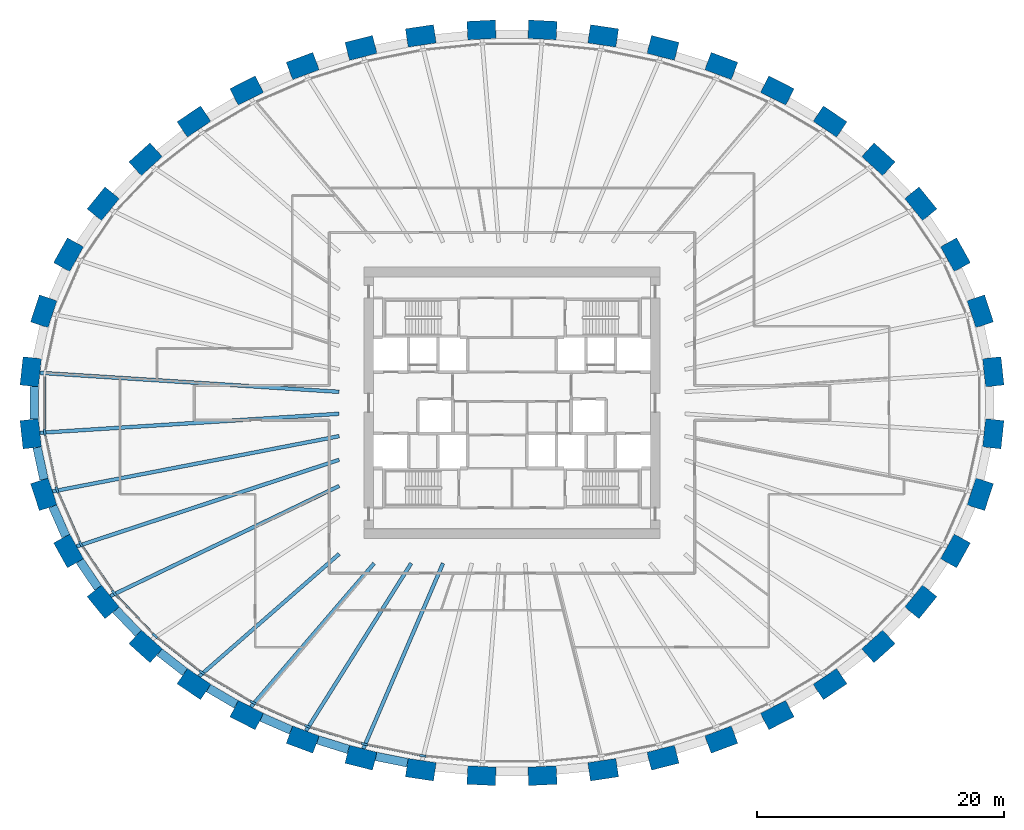
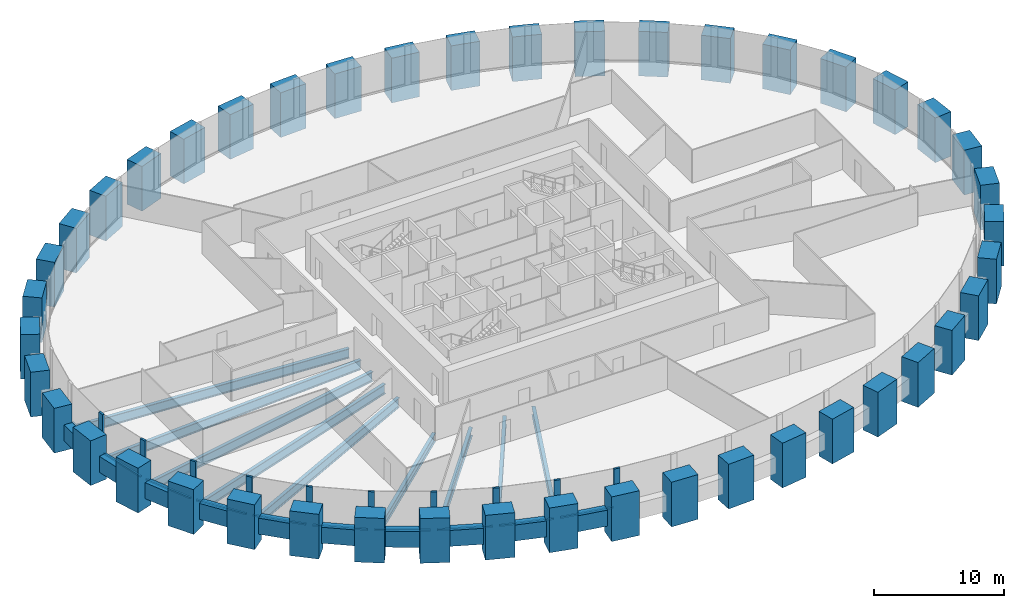
# One storey, part 1 of 11: 44 columns, 20 members, 19 beams, 1 element without a shape of its own.
"""IFC4 building model written with IfcOpenShell, lengths in metres."""

from ifc_helpers import new_model, si_unit, direction, frame, origin, origin_2d, place, context, subcontext, project, spatial, rectangle, i_section, extrude, source, transform, mapped, material, material_profile, profile_set, type_object, element, aggregate, save


model = new_model("IFC4")

# Units and contexts
model_context = context("Model", 3, precision=1e-05, world=origin(), true_north=direction((0.0, 1.0)))
body_context = subcontext(model_context, "Body", "Model", "MODEL_VIEW")
ifc_project = project(units=[si_unit("LENGTHUNIT", "METRE"), si_unit("AREAUNIT", "SQUARE_METRE"), si_unit("VOLUMEUNIT", "CUBIC_METRE"), si_unit("PLANEANGLEUNIT", "RADIAN"), si_unit("MASSUNIT", "GRAM", prefix="KILO")], contexts=[model_context])

# Site, building, storey
site_placement = place(None, origin())
site = spatial("IfcSite", under=ifc_project, at=site_placement, CompositionType="ELEMENT")
building_placement = place(site_placement, origin())
building = spatial("IfcBuilding", under=site, at=building_placement, Name="Embergate Tower", CompositionType="ELEMENT")
storey_placement = place(building_placement, frame((0.0, 0.0, 132.0)))
storey = spatial("IfcBuildingStorey", under=building, at=storey_placement, Name="L28", CompositionType="ELEMENT", Elevation=132.0)

# Columns
ifc_material_1 = material(Name="Concrete C70", Category="concrete")
ifc_material_profile_1 = material_profile(ifc_material_1, rectangle(XDim=1.5, YDim=2.300048828125, at=origin_2d()), Name="RC 1500x2300")
ifc_profile_set_1 = profile_set([ifc_material_profile_1], Name="Concrete C70")
column_type = type_object("IfcColumnType", Name="Ring column RC 1500x2300 C70", PredefinedType="COLUMN", material=ifc_profile_set_1)
shared_shape_1 = source(origin(), body_context, "Body", "SweptSolid", [
    extrude(rectangle(XDim=1.5, YDim=2.300048828125, at=origin_2d()), origin(), (0.0, 0.0, 1.0), 4.199951171875),
])
for number, where, z_axis, x_axis, name in (
    (1, (38.98193359375, 2.509033203125, -1.699951171875), (0.0, 0.0, 1.0), (0.99428589498, 0.106749983816, 0.0), "COL-L28-00"),
    (2, (37.927001953125, 7.410888671875, -1.699951171875), (0.0, 0.0, 1.0), (0.950754033697, 0.309946394413, 0.0), "COL-L28-01"),
    (3, (35.9169921875, 11.993896484375, -1.699951171875), (0.0, 0.0, 1.0), (0.873491969053, 0.486838556403, 0.0), "COL-L28-02"),
    (4, (33.110107421875, 16.1220703125, -1.699951171875), (0.0, 0.0, 1.0), (0.775914301615, 0.630838328377, 0.0), "COL-L28-03"),
    (5, (29.675048828125, 19.72412109375, -1.699951171875), (0.0, 0.0, 1.0), (0.669208424634, 0.74307475021, 0.0), "COL-L28-04"),
    (6, (25.760009765625, 22.781005859375, -1.699951171875), (0.0, 0.0, 1.0), (0.560393279442, 0.828226643109, 0.0), "COL-L28-05"),
    (7, (21.486083984375, 25.29296875, -1.699951171875), (0.0, 0.0, 1.0), (0.452994952881, 0.891513080478, 0.0), "COL-L28-06"),
    (8, (16.950927734375, 27.277099609375, -1.699951171875), (0.0, 0.0, 1.0), (0.348343015724, 0.93736713373, 0.0), "COL-L28-07"),
    (9, (12.22900390625, 28.7470703125, -1.699951171875), (0.0, 0.0, 1.0), (0.246491603437, 0.969144926951, 0.0), "COL-L28-08"),
    (10, (7.385009765625, 29.718994140625, -1.699951171875), (0.0, 0.0, 1.0), (0.146929011949, 0.989147039346, 0.0), "COL-L28-09"),
    (11, (2.468994140625, 30.201904296875, -1.699951171875), (0.0, 0.0, 1.0), (0.048814904854, 0.998807841912, 0.0), "COL-L28-10"),
    (12, (-2.468994140625, 30.201904296875, -1.699951171875), (0.0, 0.0, 1.0), (-0.048814904854, 0.998807841912, 0.0), "COL-L28-11"),
    (13, (-7.385009765625, 29.718994140625, -1.699951171875), (0.0, 0.0, 1.0), (-0.146929011949, 0.989147039346, 0.0), "COL-L28-12"),
    (14, (-12.22900390625, 28.7470703125, -1.699951171875), (0.0, 0.0, 1.0), (-0.246491603437, 0.969144926951, 0.0), "COL-L28-13"),
    (15, (-16.950927734375, 27.277099609375, -1.699951171875), (0.0, 0.0, 1.0), (-0.348343015724, 0.93736713373, 0.0), "COL-L28-14"),
    (16, (-21.486083984375, 25.29296875, -1.699951171875), (0.0, 0.0, 1.0), (-0.452994952881, 0.891513080478, 0.0), "COL-L28-15"),
    (17, (-25.760009765625, 22.781005859375, -1.699951171875), (0.0, 0.0, 1.0), (-0.560393279442, 0.828226643109, 0.0), "COL-L28-16"),
    (18, (-29.675048828125, 19.72412109375, -1.699951171875), (0.0, 0.0, 1.0), (-0.669208424634, 0.74307475021, 0.0), "COL-L28-17"),
    (19, (-33.110107421875, 16.1220703125, -1.699951171875), (0.0, 0.0, 1.0), (-0.775914301615, 0.630838328377, 0.0), "COL-L28-18"),
    (20, (-35.9169921875, 11.993896484375, -1.699951171875), (0.0, 0.0, 1.0), (-0.873491969053, 0.486838556403, 0.0), "COL-L28-19"),
    (21, (-37.927001953125, 7.410888671875, -1.699951171875), (0.0, 0.0, 1.0), (-0.950754033697, 0.309946394413, 0.0), "COL-L28-20"),
    (22, (-38.98193359375, 2.509033203125, -1.699951171875), (0.0, 0.0, 1.0), (-0.99428589498, 0.106749983816, 0.0), "COL-L28-21"),
    (23, (-38.98193359375, -2.509033203125, -1.699951171875), (0.0, 0.0, 1.0), (-0.99428589498, -0.106749983816, 0.0), "COL-L28-22"),
    (24, (-37.927001953125, -7.410888671875, -1.699951171875), (0.0, 0.0, 1.0), (-0.950754033697, -0.309946394413, 0.0), "COL-L28-23"),
    (25, (-35.9169921875, -11.993896484375, -1.699951171875), (0.0, 0.0, 1.0), (-0.873491969053, -0.486838556403, 0.0), "COL-L28-24"),
    (26, (-33.110107421875, -16.1220703125, -1.699951171875), (0.0, 0.0, 1.0), (-0.775914301615, -0.630838328377, 0.0), "COL-L28-25"),
    (27, (-29.675048828125, -19.72412109375, -1.699951171875), (0.0, 0.0, 1.0), (-0.669208424634, -0.74307475021, 0.0), "COL-L28-26"),
    (28, (-25.760009765625, -22.781005859375, -1.699951171875), (0.0, 0.0, 1.0), (-0.560393279442, -0.828226643109, 0.0), "COL-L28-27"),
    (29, (-21.486083984375, -25.29296875, -1.699951171875), (0.0, 0.0, 1.0), (-0.452994952881, -0.891513080478, 0.0), "COL-L28-28"),
    (30, (-16.950927734375, -27.277099609375, -1.699951171875), (0.0, 0.0, 1.0), (-0.348343015724, -0.93736713373, 0.0), "COL-L28-29"),
    (31, (-12.22900390625, -28.7470703125, -1.699951171875), (0.0, 0.0, 1.0), (-0.246491603437, -0.969144926951, 0.0), "COL-L28-30"),
    (32, (-7.385009765625, -29.718994140625, -1.699951171875), (0.0, 0.0, 1.0), (-0.146929011949, -0.989147039346, 0.0), "COL-L28-31"),
    (33, (-2.468994140625, -30.201904296875, -1.699951171875), (0.0, 0.0, 1.0), (-0.048814904854, -0.998807841912, 0.0), "COL-L28-32"),
    (34, (2.468994140625, -30.201904296875, -1.699951171875), (0.0, 0.0, 1.0), (0.048814904854, -0.998807841912, 0.0), "COL-L28-33"),
    (35, (7.385009765625, -29.718994140625, -1.699951171875), (0.0, 0.0, 1.0), (0.146929011949, -0.989147039346, 0.0), "COL-L28-34"),
    (36, (12.22900390625, -28.7470703125, -1.699951171875), (0.0, 0.0, 1.0), (0.246491603437, -0.969144926951, 0.0), "COL-L28-35"),
    (37, (16.950927734375, -27.277099609375, -1.699951171875), (0.0, 0.0, 1.0), (0.348343015724, -0.93736713373, 0.0), "COL-L28-36"),
    (38, (21.486083984375, -25.29296875, -1.699951171875), (0.0, 0.0, 1.0), (0.452994952881, -0.891513080478, 0.0), "COL-L28-37"),
    (39, (25.760009765625, -22.781005859375, -1.699951171875), (0.0, 0.0, 1.0), (0.560393279442, -0.828226643109, 0.0), "COL-L28-38"),
    (40, (29.675048828125, -19.72412109375, -1.699951171875), (0.0, 0.0, 1.0), (0.669208424634, -0.74307475021, 0.0), "COL-L28-39"),
    (41, (33.110107421875, -16.1220703125, -1.699951171875), (0.0, 0.0, 1.0), (0.775914301615, -0.630838328377, 0.0), "COL-L28-40"),
    (42, (35.9169921875, -11.993896484375, -1.699951171875), (0.0, 0.0, 1.0), (0.873491969053, -0.486838556403, 0.0), "COL-L28-41"),
    (43, (37.927001953125, -7.410888671875, -1.699951171875), (0.0, 0.0, 1.0), (0.950754033697, -0.309946394413, 0.0), "COL-L28-42"),
    (44, (38.98193359375, -2.509033203125, -1.699951171875), (0.0, 0.0, 1.0), (0.99428589498, -0.106749983816, 0.0), "COL-L28-43"),
):
    element("IfcColumn", number, at=place(storey_placement, frame(where, z_axis=z_axis, x_axis=x_axis)), inside=storey, type_object=column_type, Name=name, PredefinedType="COLUMN", context=body_context, shape_type="MappedRepresentation", body=[
        mapped(shared_shape_1, transform((0.0, 0.0, 0.0))),
    ])

# Beams
ifc_material_profile_2 = material_profile(ifc_material_1, rectangle(XDim=0.699951171875, YDim=1.5, at=origin_2d()), Name="RC 700x1500")
ifc_profile_set_2 = profile_set([ifc_material_profile_2], Name="Concrete C70")
beam_type_1 = type_object("IfcBeamType", Name="Spandrel beam RC 700x1500 C70", PredefinedType="BEAM", material=ifc_profile_set_2)
shared_shape_2 = source(origin(), body_context, "Body", "SweptSolid", [
    extrude(rectangle(XDim=0.699951171875, YDim=1.5, at=origin_2d()), origin(), (0.0, 0.0, 1.0), 2.644287109375),
])
beam_1_placement = place(storey_placement, frame((-38.462890625, -3.610107421875, 0.0), z_axis=(0.210600871974, -0.977572131724, 0.0), x_axis=(0.977572131724, 0.210600871974, 0.0)))
element("IfcBeam", 45, at=beam_1_placement, inside=storey, type_object=beam_type_1, Name="SPN-L28-22", PredefinedType="BEAM", context=body_context, shape_type="MappedRepresentation", body=[
    mapped(shared_shape_2, transform((0.0, 0.0, 0.0))),
])
shared_shape_3 = source(origin(), body_context, "Body", "SweptSolid", [
    extrude(rectangle(XDim=0.699951171875, YDim=1.5, at=origin_2d()), origin(), (0.0, 0.0, 1.0), 2.640625),
])
beam_2_placement = place(storey_placement, frame((-37.198974609375, -8.383056640625, 0.0), z_axis=(0.401827456717, -0.915715400672, 0.0), x_axis=(0.915715400672, 0.401827456717, 0.0)))
element("IfcBeam", 46, at=beam_2_placement, inside=storey, type_object=beam_type_1, Name="SPN-L28-23", PredefinedType="BEAM", context=body_context, shape_type="MappedRepresentation", body=[
    mapped(shared_shape_3, transform((0.0, 0.0, 0.0))),
])
shared_shape_4 = source(origin(), body_context, "Body", "SweptSolid", [
    extrude(rectangle(XDim=0.699951171875, YDim=1.5, at=origin_2d()), origin(), (0.0, 0.0, 1.0), 2.63037109375),
])
beam_3_placement = place(storey_placement, frame((-35.007080078125, -12.803955078125, 0.0), z_axis=(0.562302404878, -0.826931681258, 0.0), x_axis=(0.826931681258, 0.562302404878, 0.0)))
element("IfcBeam", 47, at=beam_3_placement, inside=storey, type_object=beam_type_1, Name="SPN-L28-24", PredefinedType="BEAM", context=body_context, shape_type="MappedRepresentation", body=[
    mapped(shared_shape_4, transform((0.0, 0.0, 0.0))),
])
shared_shape_5 = source(origin(), body_context, "Body", "SweptSolid", [
    extrude(rectangle(XDim=0.699951171875, YDim=1.5, at=origin_2d()), origin(), (0.0, 0.0, 1.0), 2.6240234375),
])
beam_4_placement = place(storey_placement, frame((-32.08203125, -16.76806640625, 0.0), z_axis=(0.690161462012, -0.723655412716, 0.0), x_axis=(0.723655412716, 0.690161462012, 0.0)))
element("IfcBeam", 48, at=beam_4_placement, inside=storey, type_object=beam_type_1, Name="SPN-L28-25", PredefinedType="BEAM", context=body_context, shape_type="MappedRepresentation", body=[
    mapped(shared_shape_5, transform((0.0, 0.0, 0.0))),
])
shared_shape_6 = source(origin(), body_context, "Body", "SweptSolid", [
    extrude(rectangle(XDim=0.699951171875, YDim=1.5, at=origin_2d()), origin(), (0.0, 0.0, 1.0), 2.617431640625),
])
beam_5_placement = place(storey_placement, frame((-28.552978515625, -20.196044921875, 0.0), z_axis=(0.788185558189, -0.615437670169, 0.0), x_axis=(0.615437670169, 0.788185558189, 0.0)))
element("IfcBeam", 49, at=beam_5_placement, inside=storey, type_object=beam_type_1, Name="SPN-L28-26", PredefinedType="BEAM", context=body_context, shape_type="MappedRepresentation", body=[
    mapped(shared_shape_6, transform((0.0, 0.0, 0.0))),
])
shared_shape_7 = source(origin(), body_context, "Body", "SweptSolid", [
    extrude(rectangle(XDim=0.699951171875, YDim=1.5, at=origin_2d()), origin(), (0.0, 0.0, 1.0), 2.61328125),
])
beam_6_placement = place(storey_placement, frame((-24.587890625, -23.10107421875, 0.0), z_axis=(0.862147892726, -0.506656699421, 0.0), x_axis=(0.506656699421, 0.862147892726, 0.0)))
element("IfcBeam", 50, at=beam_6_placement, inside=storey, type_object=beam_type_1, Name="SPN-L28-27", PredefinedType="BEAM", context=body_context, shape_type="MappedRepresentation", body=[
    mapped(shared_shape_7, transform((0.0, 0.0, 0.0))),
])
shared_shape_8 = source(origin(), body_context, "Body", "SweptSolid", [
    extrude(rectangle(XDim=0.699951171875, YDim=1.5, at=origin_2d()), origin(), (0.0, 0.0, 1.0), 2.609619140625),
])
beam_7_placement = place(storey_placement, frame((-20.285888671875, -25.469970703125, 0.0), z_axis=(0.916138010335, -0.400863001561, 0.0), x_axis=(0.400863001561, 0.916138010335, 0.0)))
element("IfcBeam", 51, at=beam_7_placement, inside=storey, type_object=beam_type_1, Name="SPN-L28-28", PredefinedType="BEAM", context=body_context, shape_type="MappedRepresentation", body=[
    mapped(shared_shape_8, transform((0.0, 0.0, 0.0))),
])
shared_shape_9 = source(origin(), body_context, "Body", "SweptSolid", [
    extrude(rectangle(XDim=0.699951171875, YDim=1.5, at=origin_2d()), origin(), (0.0, 0.0, 1.0), 2.605712890625),
])
beam_8_placement = place(storey_placement, frame((-15.73291015625, -27.301025390625, 0.0), z_axis=(0.954756318778, -0.297389259647, 0.0), x_axis=(0.297389259647, 0.954756318778, 0.0)))
element("IfcBeam", 52, at=beam_8_placement, inside=storey, type_object=beam_type_1, Name="SPN-L28-29", PredefinedType="BEAM", context=body_context, shape_type="MappedRepresentation", body=[
    mapped(shared_shape_9, transform((0.0, 0.0, 0.0))),
])
shared_shape_10 = source(origin(), body_context, "Body", "SweptSolid", [
    extrude(rectangle(XDim=0.699951171875, YDim=1.5, at=origin_2d()), origin(), (0.0, 0.0, 1.0), 2.602783203125),
])
beam_9_placement = place(storey_placement, frame((-11.01611328125, -28.64501953125, 0.0), z_axis=(0.98046506275, -0.196693316425, 0.0), x_axis=(0.196693316425, 0.98046506275, 0.0)))
element("IfcBeam", 53, at=beam_9_placement, inside=storey, type_object=beam_type_1, Name="SPN-L28-30", PredefinedType="BEAM", context=body_context, shape_type="MappedRepresentation", body=[
    mapped(shared_shape_10, transform((0.0, 0.0, 0.0))),
])
shared_shape_11 = source(origin(), body_context, "Body", "SweptSolid", [
    extrude(rectangle(XDim=0.699951171875, YDim=1.5, at=origin_2d()), origin(), (0.0, 0.0, 1.0), 2.64599609375),
])
beam_10_placement = place(storey_placement, frame((-38.7060546875, 1.322998046875, 0.0), z_axis=(0.0, -1.0, 0.0), x_axis=(1.0, 0.0, 0.0)))
element("IfcBeam", 54, at=beam_10_placement, inside=storey, type_object=beam_type_1, Name="SPN-L28-21", PredefinedType="BEAM", context=body_context, shape_type="MappedRepresentation", body=[
    mapped(shared_shape_11, transform((0.0, 0.0, 0.0))),
])
ifc_material_2 = material(Name="Steel Q355B", Category="steel")
ifc_material_profile_3 = material_profile(ifc_material_2, i_section(OverallWidth=0.300048828125, OverallDepth=0.89990234375, WebThickness=0.01611328125, FlangeThickness=0.028076171875, FilletRadius=0.028076171875, at=origin_2d()), Name="HN 900x300x16x28")
ifc_profile_set_3 = profile_set([ifc_material_profile_3], Name="Steel Q355 grade B")
beam_type_2 = type_object("IfcBeamType", Name="Radial girder HN 900x300x16x28", PredefinedType="BEAM", material=ifc_profile_set_3)
shared_shape_12 = source(origin(), body_context, "Body", "SweptSolid", [
    extrude(i_section(OverallWidth=0.300048828125, OverallDepth=0.89990234375, WebThickness=0.01611328125, FlangeThickness=0.028076171875, FilletRadius=0.028076171875, at=origin_2d()), origin(), (0.0, 0.0, 1.0), 24.284912109375),
])
for number, where, z_axis, x_axis, name in (
    (55, (-38.236083984375, 2.428955078125, -0.949951171875), (0.997987222213, -0.063415331746, 0.0), (0.063415331746, 0.997987222213, 0.0), "GIR-L28-21"),
    (56, (-38.236083984375, -2.428955078125, -0.949951171875), (0.997987222213, 0.063415331746, 0.0), (-0.063415331746, 0.997987222213, 0.0), "GIR-L28-22"),
):
    element("IfcBeam", number, at=place(storey_placement, frame(where, z_axis=z_axis, x_axis=x_axis)), inside=storey, type_object=beam_type_2, Name=name, PredefinedType="BEAM", context=body_context, shape_type="MappedRepresentation", body=[
        mapped(shared_shape_12, transform((0.0, 0.0, 0.0))),
    ])
shared_shape_13 = source(origin(), body_context, "Body", "SweptSolid", [
    extrude(i_section(OverallWidth=0.300048828125, OverallDepth=0.89990234375, WebThickness=0.01611328125, FlangeThickness=0.028076171875, FilletRadius=0.028076171875, at=origin_2d()), origin(), (0.0, 0.0, 1.0), 23.64208984375),
])
beam_11_placement = place(storey_placement, frame((-37.214111328125, -7.178955078125, -0.949951171875), z_axis=(0.981898233301, 0.189409238, 0.0), x_axis=(-0.189409238, 0.981898233301, 0.0)))
element("IfcBeam", 57, at=beam_11_placement, inside=storey, type_object=beam_type_2, Name="GIR-L28-23", PredefinedType="BEAM", context=body_context, shape_type="MappedRepresentation", body=[
    mapped(shared_shape_13, transform((0.0, 0.0, 0.0))),
])
shared_shape_14 = source(origin(), body_context, "Body", "SweptSolid", [
    extrude(i_section(OverallWidth=0.300048828125, OverallDepth=0.89990234375, WebThickness=0.01611328125, FlangeThickness=0.028076171875, FilletRadius=0.028076171875, at=origin_2d()), origin(), (0.0, 0.0, 1.0), 22.388427734375),
])
beam_12_placement = place(storey_placement, frame((-35.261962890625, -11.62890625, -0.949951171875), z_axis=(0.949688245949, 0.313196799962, 0.0), x_axis=(-0.313196799962, 0.949688245949, 0.0)))
element("IfcBeam", 58, at=beam_12_placement, inside=storey, type_object=beam_type_2, Name="GIR-L28-24", PredefinedType="BEAM", context=body_context, shape_type="MappedRepresentation", body=[
    mapped(shared_shape_14, transform((0.0, 0.0, 0.0))),
])
shared_shape_15 = source(origin(), body_context, "Body", "SweptSolid", [
    extrude(i_section(OverallWidth=0.300048828125, OverallDepth=0.89990234375, WebThickness=0.01611328125, FlangeThickness=0.028076171875, FilletRadius=0.028076171875, at=origin_2d()), origin(), (0.0, 0.0, 1.0), 20.560791015625),
])
beam_13_placement = place(storey_placement, frame((-32.528076171875, -15.64892578125, -0.949951171875), z_axis=(0.901136736835, 0.433534983049, 0.0), x_axis=(-0.433534983049, 0.901136736835, 0.0)))
element("IfcBeam", 59, at=beam_13_placement, inside=storey, type_object=beam_type_2, Name="GIR-L28-25", PredefinedType="BEAM", context=body_context, shape_type="MappedRepresentation", body=[
    mapped(shared_shape_15, transform((0.0, 0.0, 0.0))),
])
ifc_material_profile_4 = material_profile(ifc_material_2, i_section(OverallWidth=0.300048828125, OverallDepth=0.800048828125, WebThickness=0.013916015625, FlangeThickness=0.02587890625, FilletRadius=0.028076171875, at=origin_2d()), Name="HN 800x300x14x26")
ifc_profile_set_4 = profile_set([ifc_material_profile_4], Name="Steel Q355 grade B")
beam_type_3 = type_object("IfcBeamType", Name="Radial girder HN 800x300x14x26", PredefinedType="BEAM", material=ifc_profile_set_4)
shared_shape_16 = source(origin(), body_context, "Body", "SweptSolid", [
    extrude(i_section(OverallWidth=0.300048828125, OverallDepth=0.800048828125, WebThickness=0.013916015625, FlangeThickness=0.02587890625, FilletRadius=0.028076171875, at=origin_2d()), origin(), (0.0, 0.0, 1.0), 15.064697265625),
])
beam_14_placement = place(storey_placement, frame((-25.340087890625, -22.159912109375, -0.89990234375), z_axis=(0.752760383149, 0.65829461912, 0.0), x_axis=(-0.65829461912, 0.752760383149, 0.0)))
element("IfcBeam", 60, at=beam_14_placement, inside=storey, type_object=beam_type_3, Name="GIR-L28-27", PredefinedType="BEAM", context=body_context, shape_type="MappedRepresentation", body=[
    mapped(shared_shape_16, transform((0.0, 0.0, 0.0))),
])
shared_shape_17 = source(origin(), body_context, "Body", "SweptSolid", [
    extrude(i_section(OverallWidth=0.300048828125, OverallDepth=0.800048828125, WebThickness=0.013916015625, FlangeThickness=0.02587890625, FilletRadius=0.028076171875, at=origin_2d()), origin(), (0.0, 0.0, 1.0), 15.32177734375),
])
beam_15_placement = place(storey_placement, frame((-21.14599609375, -24.6240234375, -0.89990234375), z_axis=(0.651486582334, 0.758660156486, 0.0), x_axis=(-0.758660156486, 0.651486582334, 0.0)))
element("IfcBeam", 61, at=beam_15_placement, inside=storey, type_object=beam_type_3, Name="GIR-L28-28", PredefinedType="BEAM", context=body_context, shape_type="MappedRepresentation", body=[
    mapped(shared_shape_17, transform((0.0, 0.0, 0.0))),
])
shared_shape_18 = source(origin(), body_context, "Body", "SweptSolid", [
    extrude(i_section(OverallWidth=0.300048828125, OverallDepth=0.800048828125, WebThickness=0.013916015625, FlangeThickness=0.02587890625, FilletRadius=0.028076171875, at=origin_2d()), origin(), (0.0, 0.0, 1.0), 16.029052734375),
])
beam_16_placement = place(storey_placement, frame((-16.68994140625, -26.573974609375, -0.89990234375), z_axis=(0.531844599724, 0.846841969759, 0.0), x_axis=(-0.846841969759, 0.531844599724, 0.0)))
element("IfcBeam", 62, at=beam_16_placement, inside=storey, type_object=beam_type_3, Name="GIR-L28-29", PredefinedType="BEAM", context=body_context, shape_type="MappedRepresentation", body=[
    mapped(shared_shape_18, transform((0.0, 0.0, 0.0))),
])
shared_shape_19 = source(origin(), body_context, "Body", "SweptSolid", [
    extrude(i_section(OverallWidth=0.300048828125, OverallDepth=0.800048828125, WebThickness=0.013916015625, FlangeThickness=0.02587890625, FilletRadius=0.028076171875, at=origin_2d()), origin(), (0.0, 0.0, 1.0), 16.3486328125),
])
beam_17_placement = place(storey_placement, frame((-12.0439453125, -28.02001953125, -0.89990234375), z_axis=(0.394895919254, 0.918725863877, 0.0), x_axis=(-0.918725863877, 0.394895919254, 0.0)))
element("IfcBeam", 63, at=beam_17_placement, inside=storey, type_object=beam_type_3, Name="GIR-L28-30", PredefinedType="BEAM", context=body_context, shape_type="MappedRepresentation", body=[
    mapped(shared_shape_19, transform((0.0, 0.0, 0.0))),
])

# Curtain wall, members
ifc_material_3 = material(Name="Aluminium and glass", Category="aluminium")
curtain_wall_type = type_object("IfcCurtainWallType", Name="Recessed office glazing", PredefinedType="NOTDEFINED", material=ifc_material_3)
curtain_wall_placement = place(storey_placement, origin())
curtain_wall = element("IfcCurtainWall", 64, at=curtain_wall_placement, inside=storey, type_object=curtain_wall_type, Name="Recessed office glazing ring", ObjectType="RECESSED OFFICE GLAZING", PredefinedType="USERDEFINED")
ifc_material_4 = material(Name="Aluminium, thermally broken", Category="aluminium")
ifc_material_profile_5 = material_profile(ifc_material_4, rectangle(XDim=0.179931640625, YDim=0.52001953125, at=origin_2d()), Name="AL 520x180")
ifc_profile_set_5 = profile_set([ifc_material_profile_5], Name="Aluminium, thermally broken")
member_type_1 = type_object("IfcMemberType", Name="Office mullion", PredefinedType="MULLION", material=ifc_profile_set_5)
shared_shape_20 = source(origin(), body_context, "Body", "SweptSolid", [
    extrude(rectangle(XDim=0.179931640625, YDim=0.52001953125, at=origin_2d()), origin(), (0.0, 0.0, 1.0), 3.699951171875),
])
member_1_placement = place(storey_placement, frame((-37.84814453125, -2.38720703125, 0.0), z_axis=(0.0, 0.0, 1.0), x_axis=(0.994384954736, 0.105823257345, 0.0)))
member_1 = element("IfcMember", 65, at=member_1_placement, type_object=member_type_1, Name="CW mullion 23", PredefinedType="MULLION", context=body_context, shape_type="MappedRepresentation", body=[
    mapped(shared_shape_20, transform((0.0, 0.0, 0.0))),
])
member_2_placement = place(storey_placement, frame((-36.843017578125, -7.0576171875, 0.0), z_axis=(0.0, 0.0, 1.0), x_axis=(0.951498334951, 0.307653894149, 0.0)))
member_2 = element("IfcMember", 66, at=member_2_placement, type_object=member_type_1, Name="CW mullion 24", PredefinedType="MULLION", context=body_context, shape_type="MappedRepresentation", body=[
    mapped(shared_shape_20, transform((0.0, 0.0, 0.0))),
])
member_3_placement = place(storey_placement, frame((-34.92138671875, -11.43896484375, 0.0), z_axis=(0.0, 0.0, 1.0), x_axis=(0.875001895832, 0.484119491748, 0.0)))
member_3 = element("IfcMember", 67, at=member_3_placement, type_object=member_type_1, Name="CW mullion 25", PredefinedType="MULLION", context=body_context, shape_type="MappedRepresentation", body=[
    mapped(shared_shape_20, transform((0.0, 0.0, 0.0))),
])
member_4_placement = place(storey_placement, frame((-32.22607421875, -15.40234375, 0.0), z_axis=(0.0, 0.0, 1.0), x_axis=(0.777872564355, 0.628422050555, 0.0)))
member_4 = element("IfcMember", 68, at=member_4_placement, type_object=member_type_1, Name="CW mullion 26", PredefinedType="MULLION", context=body_context, shape_type="MappedRepresentation", body=[
    mapped(shared_shape_20, transform((0.0, 0.0, 0.0))),
])
member_5_placement = place(storey_placement, frame((-28.912109375, -18.87744140625, 0.0), z_axis=(0.0, 0.0, 1.0), x_axis=(0.671225240226, 0.741253449829, 0.0)))
member_5 = element("IfcMember", 69, at=member_5_placement, type_object=member_type_1, Name="CW mullion 27", PredefinedType="MULLION", context=body_context, shape_type="MappedRepresentation", body=[
    mapped(shared_shape_20, transform((0.0, 0.0, 0.0))),
])
member_6_placement = place(storey_placement, frame((-25.12060546875, -21.83642578125, 0.0), z_axis=(0.0, 0.0, 1.0), x_axis=(0.562214731803, 0.826991290972, 0.0)))
member_6 = element("IfcMember", 70, at=member_6_placement, type_object=member_type_1, Name="CW mullion 28", PredefinedType="MULLION", context=body_context, shape_type="MappedRepresentation", body=[
    mapped(shared_shape_20, transform((0.0, 0.0, 0.0))),
])
member_7_placement = place(storey_placement, frame((-20.969482421875, -24.27685546875, 0.0), z_axis=(0.0, 0.0, 1.0), x_axis=(0.454508271251, 0.890742516872, 0.0)))
member_7 = element("IfcMember", 71, at=member_7_placement, type_object=member_type_1, Name="CW mullion 29", PredefinedType="MULLION", context=body_context, shape_type="MappedRepresentation", body=[
    mapped(shared_shape_20, transform((0.0, 0.0, 0.0))),
])
member_8_placement = place(storey_placement, frame((-16.553466796875, -26.2080078125, 0.0), z_axis=(0.0, 0.0, 1.0), x_axis=(0.349501047589, 0.936935973124, 0.0)))
member_8 = element("IfcMember", 72, at=member_8_placement, type_object=member_type_1, Name="CW mullion 30", PredefinedType="MULLION", context=body_context, shape_type="MappedRepresentation", body=[
    mapped(shared_shape_20, transform((0.0, 0.0, 0.0))),
])
member_9_placement = place(storey_placement, frame((-11.9482421875, -27.64208984375, 0.0), z_axis=(0.0, 0.0, 1.0), x_axis=(0.247310190257, 0.968936360034, 0.0)))
member_9 = element("IfcMember", 73, at=member_9_placement, type_object=member_type_1, Name="CW mullion 31", PredefinedType="MULLION", context=body_context, shape_type="MappedRepresentation", body=[
    mapped(shared_shape_20, transform((0.0, 0.0, 0.0))),
])
member_10_placement = place(storey_placement, frame((-7.217041015625, -28.5908203125, 0.0), z_axis=(0.0, 0.0, 1.0), x_axis=(0.147410656556, 0.989075375456, 0.0)))
member_10 = element("IfcMember", 74, at=member_10_placement, type_object=member_type_1, Name="CW mullion 32", PredefinedType="MULLION", context=body_context, shape_type="MappedRepresentation", body=[
    mapped(shared_shape_20, transform((0.0, 0.0, 0.0))),
])
ifc_material_profile_6 = material_profile(ifc_material_4, rectangle(XDim=0.179931640625, YDim=0.14990234375, at=origin_2d()), Name="AL 150x180")
ifc_profile_set_6 = profile_set([ifc_material_profile_6], Name="Aluminium, thermally broken")
member_type_2 = type_object("IfcMemberType", Name="Office sill transom", PredefinedType="USERDEFINED", material=ifc_profile_set_6)
shared_shape_21 = source(origin(), body_context, "Body", "SweptSolid", [
    extrude(rectangle(XDim=0.179931640625, YDim=0.14990234375, at=origin_2d()), origin(), (0.0, 0.0, 1.0), 4.30322265625),
])
member_11_placement = place(storey_placement, frame((-16.30517578125, -26.28515625, 0.074951171875), z_axis=(0.954771265883, -0.297341268316, 0.0), x_axis=(0.297341268316, 0.954771265883, 0.0)))
member_11 = element("IfcMember", 75, at=member_11_placement, type_object=member_type_2, Name="CW transom 30.1", ObjectType="TRANSOM", PredefinedType="USERDEFINED", context=body_context, shape_type="MappedRepresentation", body=[
    mapped(shared_shape_21, transform((0.0, 0.0, 0.0))),
])
shared_shape_22 = source(origin(), body_context, "Body", "SweptSolid", [
    extrude(rectangle(XDim=0.179931640625, YDim=0.14990234375, at=origin_2d()), origin(), (0.0, 0.0, 1.0), 4.25732421875),
])
member_12_placement = place(storey_placement, frame((-37.79345703125, -2.641357421875, 0.074951171875), z_axis=(0.210398410423, -0.977615726598, 0.0), x_axis=(0.977615726598, 0.210398410423, 0.0)))
member_12 = element("IfcMember", 76, at=member_12_placement, type_object=member_type_2, Name="CW transom 23.1", ObjectType="TRANSOM", PredefinedType="USERDEFINED", context=body_context, shape_type="MappedRepresentation", body=[
    mapped(shared_shape_22, transform((0.0, 0.0, 0.0))),
])
shared_shape_23 = source(origin(), body_context, "Body", "SweptSolid", [
    extrude(rectangle(XDim=0.179931640625, YDim=0.14990234375, at=origin_2d()), origin(), (0.0, 0.0, 1.0), 4.26416015625),
])
member_13_placement = place(storey_placement, frame((-36.738525390625, -7.295654296875, 0.074951171875), z_axis=(0.401644646583, -0.915795598303, 0.0), x_axis=(0.915795598303, 0.401644646583, 0.0)))
member_13 = element("IfcMember", 77, at=member_13_placement, type_object=member_type_2, Name="CW transom 24.1", ObjectType="TRANSOM", PredefinedType="USERDEFINED", context=body_context, shape_type="MappedRepresentation", body=[
    mapped(shared_shape_23, transform((0.0, 0.0, 0.0))),
])
shared_shape_24 = source(origin(), body_context, "Body", "SweptSolid", [
    extrude(rectangle(XDim=0.179931640625, YDim=0.14990234375, at=origin_2d()), origin(), (0.0, 0.0, 1.0), 4.273193359375),
])
member_14_placement = place(storey_placement, frame((-34.775146484375, -11.65380859375, 0.074951171875), z_axis=(0.562297519714, -0.826935003083, 0.0), x_axis=(0.826935003083, 0.562297519714, 0.0)))
member_14 = element("IfcMember", 78, at=member_14_placement, type_object=member_type_2, Name="CW transom 25.1", ObjectType="TRANSOM", PredefinedType="USERDEFINED", context=body_context, shape_type="MappedRepresentation", body=[
    mapped(shared_shape_24, transform((0.0, 0.0, 0.0))),
])
shared_shape_25 = source(origin(), body_context, "Body", "SweptSolid", [
    extrude(rectangle(XDim=0.179931640625, YDim=0.14990234375, at=origin_2d()), origin(), (0.0, 0.0, 1.0), 4.28173828125),
])
member_15_placement = place(storey_placement, frame((-32.04638671875, -15.590576171875, 0.074951171875), z_axis=(0.690114923588, -0.72369979428, 0.0), x_axis=(0.72369979428, 0.690114923588, 0.0)))
member_15 = element("IfcMember", 79, at=member_15_placement, type_object=member_type_2, Name="CW transom 26.1", ObjectType="TRANSOM", PredefinedType="USERDEFINED", context=body_context, shape_type="MappedRepresentation", body=[
    mapped(shared_shape_25, transform((0.0, 0.0, 0.0))),
])
shared_shape_26 = source(origin(), body_context, "Body", "SweptSolid", [
    extrude(rectangle(XDim=0.179931640625, YDim=0.14990234375, at=origin_2d()), origin(), (0.0, 0.0, 1.0), 4.289306640625),
])
member_16_placement = place(storey_placement, frame((-28.70703125, -19.037353515625, 0.074951171875), z_axis=(0.788309050115, -0.615279482436, 0.0), x_axis=(0.615279482436, 0.788309050115, 0.0)))
member_16 = element("IfcMember", 80, at=member_16_placement, type_object=member_type_2, Name="CW transom 27.1", ObjectType="TRANSOM", PredefinedType="USERDEFINED", context=body_context, shape_type="MappedRepresentation", body=[
    mapped(shared_shape_26, transform((0.0, 0.0, 0.0))),
])
shared_shape_27 = source(origin(), body_context, "Body", "SweptSolid", [
    extrude(rectangle(XDim=0.179931640625, YDim=0.14990234375, at=origin_2d()), origin(), (0.0, 0.0, 1.0), 4.29541015625),
])
member_17_placement = place(storey_placement, frame((-24.896484375, -21.968017578125, 0.074951171875), z_axis=(0.862052542004, -0.506818917192, 0.0), x_axis=(0.506818917192, 0.862052542004, 0.0)))
member_17 = element("IfcMember", 81, at=member_17_placement, type_object=member_type_2, Name="CW transom 28.1", ObjectType="TRANSOM", PredefinedType="USERDEFINED", context=body_context, shape_type="MappedRepresentation", body=[
    mapped(shared_shape_27, transform((0.0, 0.0, 0.0))),
])
shared_shape_28 = source(origin(), body_context, "Body", "SweptSolid", [
    extrude(rectangle(XDim=0.179931640625, YDim=0.14990234375, at=origin_2d()), origin(), (0.0, 0.0, 1.0), 4.300048828125),
])
member_18_placement = place(storey_placement, frame((-20.7314453125, -24.381103515625, 0.074951171875), z_axis=(0.916248524826, -0.400610335306, 0.0), x_axis=(0.400610335306, 0.916248524826, 0.0)))
member_18 = element("IfcMember", 82, at=member_18_placement, type_object=member_type_2, Name="CW transom 29.1", ObjectType="TRANSOM", PredefinedType="USERDEFINED", context=body_context, shape_type="MappedRepresentation", body=[
    mapped(shared_shape_28, transform((0.0, 0.0, 0.0))),
])
shared_shape_29 = source(origin(), body_context, "Body", "SweptSolid", [
    extrude(rectangle(XDim=0.179931640625, YDim=0.14990234375, at=origin_2d()), origin(), (0.0, 0.0, 1.0), 4.305419921875),
])
member_19_placement = place(storey_placement, frame((-11.693359375, -27.693115234375, 0.074951171875), z_axis=(0.980473664356, -0.196650434792, 0.0), x_axis=(0.196650434792, 0.980473664356, 0.0)))
member_19 = element("IfcMember", 83, at=member_19_placement, type_object=member_type_2, Name="CW transom 31.1", ObjectType="TRANSOM", PredefinedType="USERDEFINED", context=body_context, shape_type="MappedRepresentation", body=[
    mapped(shared_shape_29, transform((0.0, 0.0, 0.0))),
])
shared_shape_30 = source(origin(), body_context, "Body", "SweptSolid", [
    extrude(rectangle(XDim=0.179931640625, YDim=0.14990234375, at=origin_2d()), origin(), (0.0, 0.0, 1.0), 4.25439453125),
])
member_20_placement = place(storey_placement, frame((-37.84814453125, 2.127197265625, 0.074951171875), z_axis=(0.0, -1.0, 0.0), x_axis=(1.0, 0.0, 0.0)))
member_20 = element("IfcMember", 84, at=member_20_placement, type_object=member_type_2, Name="CW transom 22.1", ObjectType="TRANSOM", PredefinedType="USERDEFINED", context=body_context, shape_type="MappedRepresentation", body=[
    mapped(shared_shape_30, transform((0.0, 0.0, 0.0))),
])
aggregate(curtain_wall, [member_1, member_2, member_3, member_4, member_5, member_6, member_7, member_8, member_9, member_10, member_20, member_12, member_13, member_14, member_15, member_16, member_17, member_18, member_11, member_19])

save(model, "model.ifc")
